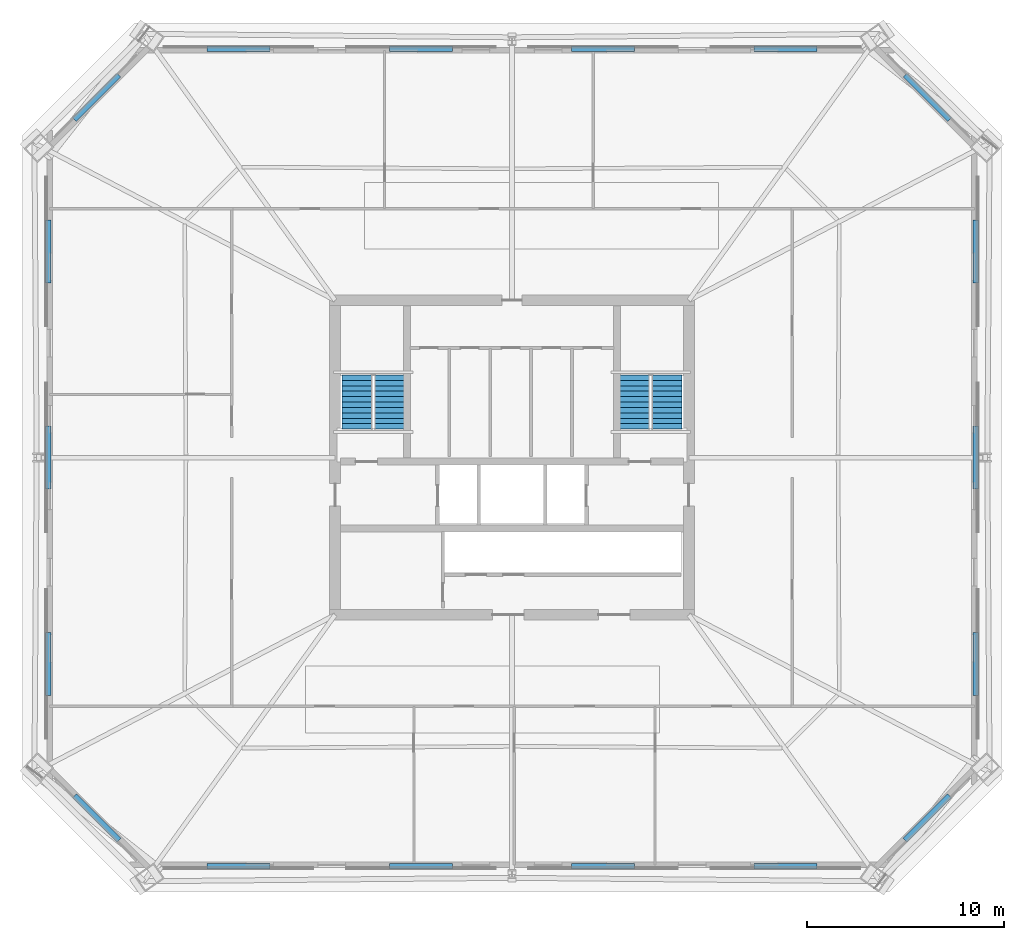
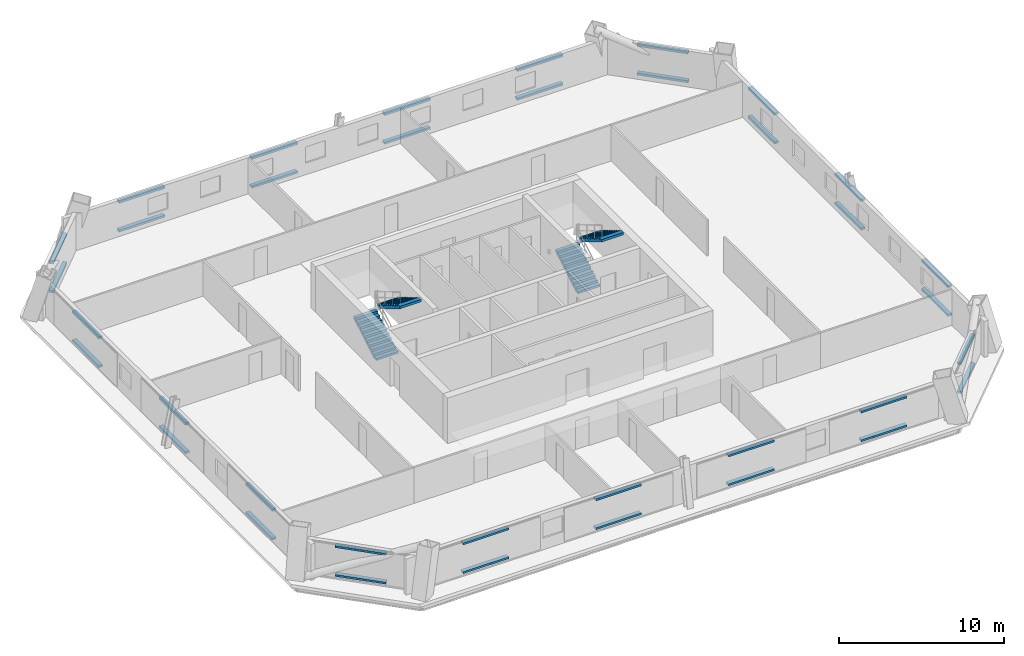
# One storey, part 5 of 7: 36 discrete accessories, 4 stair flights, 2 elements without a shape of their own.
"""IFC4 building model written with IfcOpenShell, lengths in metres."""

from ifc_helpers import new_model, si_unit, direction, frame, origin, origin_2d, place, context, subcontext, project, spatial, polyline, rectangle, outline, extrude, material, type_object, element, aggregate, save


model = new_model("IFC4")

# Units and contexts
model_context = context("Model", 3, precision=1e-05, world=origin(), true_north=direction((0.0, 1.0)))
body_context = subcontext(model_context, "Body", "Model", "MODEL_VIEW")
ifc_project = project(units=[si_unit("LENGTHUNIT", "METRE"), si_unit("AREAUNIT", "SQUARE_METRE"), si_unit("VOLUMEUNIT", "CUBIC_METRE"), si_unit("PLANEANGLEUNIT", "RADIAN"), si_unit("MASSUNIT", "GRAM", prefix="KILO")], contexts=[model_context])

# Site, building, storey
site_placement = place(None, origin())
site = spatial("IfcSite", under=ifc_project, at=site_placement, CompositionType="ELEMENT")
building_placement = place(site_placement, origin())
building = spatial("IfcBuilding", under=site, at=building_placement, Name="Caelvoria Tower", CompositionType="ELEMENT")
storey_placement = place(building_placement, frame((0.0, 0.0, 102.39990234375)))
storey = spatial("IfcBuildingStorey", under=building, at=storey_placement, Name="L26", CompositionType="ELEMENT", Elevation=102.39990234375)

# Stair, stair flights
ifc_material_1 = material(Name="Concrete C40/50", Category="concrete")
stair_type = type_object("IfcStairType", Name="Core Smokeproof Dogleg Stair Concrete C40/50", PredefinedType="HALF_TURN_STAIR", material=ifc_material_1)
stair_1_placement = place(storey_placement, origin())
stair_1 = element("IfcStair", 1, at=stair_1_placement, inside=storey, type_object=stair_type, Name="ST-01 Smokeproof Exit Stair L26", PredefinedType="HALF_TURN_STAIR")
ifc_material_2 = material(Name="Precast Concrete C40/50", Category="concrete")
stair_flight_type = type_object("IfcStairFlightType", Name="Precast Concrete C40/50 Stair Flight 1480", PredefinedType="STRAIGHT", material=ifc_material_2)
stair_flight_1_placement = place(storey_placement, frame((38.1298828125, 33.449951171875, 0.0), z_axis=(0.0, 0.0, 1.0), x_axis=(0.0, 1.0, 0.0)))
stair_flight_1 = element("IfcStairFlight", 2, at=stair_flight_1_placement, type_object=stair_flight_type, Name="ST-01 flight 1", NumberOfRisers=11, NumberOfTreads=10, PredefinedType="STRAIGHT", RiserHeight=0.1636, TreadLength=0.275, context=body_context, shape_type="SweptSolid", body=[
    extrude(outline(polyline([(0.0, 0.0), (0.0, 0.16357421875), (0.27490234375, 0.16357421875), (0.27490234375, 0.3271484375), (0.550048828125, 0.3271484375), (0.550048828125, 0.49072265625), (0.824951171875, 0.49072265625), (0.824951171875, 0.654296875), (1.10009765625, 0.654296875), (1.10009765625, 0.818115234375), (1.375, 0.818115234375), (1.375, 0.981689453125), (1.64990234375, 0.981689453125), (1.64990234375, 1.145263671875), (1.925048828125, 1.145263671875), (1.925048828125, 1.308837890625), (2.199951171875, 1.308837890625), (2.199951171875, 1.472412109375), (2.47509765625, 1.472412109375), (2.47509765625, 1.635986328125), (2.75, 1.635986328125), (2.75, 1.799560546875), (2.75, 1.449951171875), (0.312744140625, 0.0), (0.0, 0.0)])), frame((0.0, 0.77001953125, 0.0), z_axis=(0.0, -1.0, 0.0), x_axis=(1.0, 0.0, 0.0)), (0.0, 0.0, 1.0), 1.5400390625),
])
stair_flight_2_placement = place(storey_placement, frame((39.77001953125, 36.199951171875, 1.800048828125), z_axis=(0.0, 0.0, 1.0), x_axis=(0.0, -1.0, 0.0)))
stair_flight_2 = element("IfcStairFlight", 3, at=stair_flight_2_placement, type_object=stair_flight_type, Name="ST-01 flight 2", NumberOfRisers=11, NumberOfTreads=10, PredefinedType="STRAIGHT", RiserHeight=0.1636, TreadLength=0.275, context=body_context, shape_type="SweptSolid", body=[
    extrude(outline(polyline([(0.0, 0.0), (0.0, 0.16357421875), (0.27490234375, 0.16357421875), (0.27490234375, 0.3271484375), (0.550048828125, 0.3271484375), (0.550048828125, 0.49072265625), (0.824951171875, 0.49072265625), (0.824951171875, 0.654296875), (1.10009765625, 0.654296875), (1.10009765625, 0.818115234375), (1.375, 0.818115234375), (1.375, 0.981689453125), (1.64990234375, 0.981689453125), (1.64990234375, 1.145263671875), (1.925048828125, 1.145263671875), (1.925048828125, 1.308837890625), (2.199951171875, 1.308837890625), (2.199951171875, 1.472412109375), (2.47509765625, 1.472412109375), (2.47509765625, 1.635986328125), (2.75, 1.635986328125), (2.75, 1.799560546875), (2.75, 1.449951171875), (0.312744140625, 0.0), (0.0, 0.0)])), frame((0.0, 0.77001953125, 0.0), z_axis=(0.0, -1.0, 0.0), x_axis=(1.0, 0.0, 0.0)), (0.0, 0.0, 1.0), 1.5400390625),
])
aggregate(stair_1, [stair_flight_1, stair_flight_2])

stair_2_placement = place(storey_placement, origin())
stair_2 = element("IfcStair", 4, at=stair_2_placement, inside=storey, type_object=stair_type, Name="ST-02 Smokeproof Exit Stair L26", PredefinedType="HALF_TURN_STAIR")
stair_flight_3_placement = place(storey_placement, frame((52.22998046875, 33.449951171875, 0.0), z_axis=(0.0, 0.0, 1.0), x_axis=(0.0, 1.0, 0.0)))
stair_flight_3 = element("IfcStairFlight", 5, at=stair_flight_3_placement, type_object=stair_flight_type, Name="ST-02 flight 1", NumberOfRisers=11, NumberOfTreads=10, PredefinedType="STRAIGHT", RiserHeight=0.1636, TreadLength=0.275, context=body_context, shape_type="SweptSolid", body=[
    extrude(outline(polyline([(0.0, 0.0), (0.0, 0.16357421875), (0.27490234375, 0.16357421875), (0.27490234375, 0.3271484375), (0.550048828125, 0.3271484375), (0.550048828125, 0.49072265625), (0.824951171875, 0.49072265625), (0.824951171875, 0.654296875), (1.10009765625, 0.654296875), (1.10009765625, 0.818115234375), (1.375, 0.818115234375), (1.375, 0.981689453125), (1.64990234375, 0.981689453125), (1.64990234375, 1.145263671875), (1.925048828125, 1.145263671875), (1.925048828125, 1.308837890625), (2.199951171875, 1.308837890625), (2.199951171875, 1.472412109375), (2.47509765625, 1.472412109375), (2.47509765625, 1.635986328125), (2.75, 1.635986328125), (2.75, 1.799560546875), (2.75, 1.449951171875), (0.312744140625, 0.0), (0.0, 0.0)])), frame((0.0, 0.77001953125, 0.0), z_axis=(0.0, -1.0, 0.0), x_axis=(1.0, 0.0, 0.0)), (0.0, 0.0, 1.0), 1.5400390625),
])
stair_flight_4_placement = place(storey_placement, frame((53.8701171875, 36.199951171875, 1.800048828125), z_axis=(0.0, 0.0, 1.0), x_axis=(0.0, -1.0, 0.0)))
stair_flight_4 = element("IfcStairFlight", 6, at=stair_flight_4_placement, type_object=stair_flight_type, Name="ST-02 flight 2", NumberOfRisers=11, NumberOfTreads=10, PredefinedType="STRAIGHT", RiserHeight=0.1636, TreadLength=0.275, context=body_context, shape_type="SweptSolid", body=[
    extrude(outline(polyline([(0.0, 0.0), (0.0, 0.16357421875), (0.27490234375, 0.16357421875), (0.27490234375, 0.3271484375), (0.550048828125, 0.3271484375), (0.550048828125, 0.49072265625), (0.824951171875, 0.49072265625), (0.824951171875, 0.654296875), (1.10009765625, 0.654296875), (1.10009765625, 0.818115234375), (1.375, 0.818115234375), (1.375, 0.981689453125), (1.64990234375, 0.981689453125), (1.64990234375, 1.145263671875), (1.925048828125, 1.145263671875), (1.925048828125, 1.308837890625), (2.199951171875, 1.308837890625), (2.199951171875, 1.472412109375), (2.47509765625, 1.472412109375), (2.47509765625, 1.635986328125), (2.75, 1.635986328125), (2.75, 1.799560546875), (2.75, 1.449951171875), (0.312744140625, 0.0), (0.0, 0.0)])), frame((0.0, 0.77001953125, 0.0), z_axis=(0.0, -1.0, 0.0), x_axis=(1.0, 0.0, 0.0)), (0.0, 0.0, 1.0), 1.5400390625),
])
aggregate(stair_2, [stair_flight_3, stair_flight_4])

# Discrete accessories
ifc_material_3 = material(Name="Anodised Bronze Stainless Bracket", Category="bronze")
discrete_accessory_type = type_object("IfcDiscreteAccessoryType", Name="Solar Screen Outrigger Support Bracket", PredefinedType="BRACKET", material=ifc_material_3)
for number, where, z_axis, x_axis, name in (
    (7, (32.094970703125, 11.202880859375, 0.240234375), (0.0, 0.0, 1.0), (1.0, 0.0, 0.0), "Solar Screen Bracket L26-E0-00"),
    (8, (32.094970703125, 11.202880859375, 2.3623046875), (0.0, 0.0, 1.0), (1.0, 0.0, 0.0), "Upper Screen Band Bracket L26-E0-00"),
    (9, (41.364990234375, 11.202880859375, 0.240234375), (0.0, 0.0, 1.0), (1.0, 0.0, 0.0), "Solar Screen Bracket L26-E0-01"),
    (10, (41.364990234375, 11.202880859375, 2.3623046875), (0.0, 0.0, 1.0), (1.0, 0.0, 0.0), "Upper Screen Band Bracket L26-E0-01"),
    (11, (50.635009765625, 11.202880859375, 0.240234375), (0.0, 0.0, 1.0), (1.0, 0.0, 0.0), "Solar Screen Bracket L26-E0-02"),
    (12, (50.635009765625, 11.202880859375, 2.3623046875), (0.0, 0.0, 1.0), (1.0, 0.0, 0.0), "Upper Screen Band Bracket L26-E0-02"),
    (13, (59.905029296875, 11.202880859375, 0.240234375), (0.0, 0.0, 1.0), (1.0, 0.0, 0.0), "Solar Screen Bracket L26-E0-03"),
    (14, (59.905029296875, 11.202880859375, 2.3623046875), (0.0, 0.0, 1.0), (1.0, 0.0, 0.0), "Upper Screen Band Bracket L26-E0-03"),
    (15, (67.128662109375, 13.67138671875, 0.240234375), (0.0, 0.0, 1.0), (0.707106781187, 0.707106781187, 0.0), "Solar Screen Bracket L26-E1-00"),
    (16, (67.128662109375, 13.67138671875, 2.3623046875), (0.0, 0.0, 1.0), (0.707106781187, 0.707106781187, 0.0), "Upper Screen Band Bracket L26-E1-00"),
    (17, (69.596923828125, 21.506591796875, 0.240234375), (0.0, 0.0, 1.0), (0.0, 1.0, 0.0), "Solar Screen Bracket L26-E2-00"),
    (18, (69.596923828125, 21.506591796875, 2.3623046875), (0.0, 0.0, 1.0), (0.0, 1.0, 0.0), "Upper Screen Band Bracket L26-E2-00"),
    (19, (69.596923828125, 32.0, 0.240234375), (0.0, 0.0, 1.0), (0.0, 1.0, 0.0), "Solar Screen Bracket L26-E2-01"),
    (20, (69.596923828125, 32.0, 2.3623046875), (0.0, 0.0, 1.0), (0.0, 1.0, 0.0), "Upper Screen Band Bracket L26-E2-01"),
    (21, (69.596923828125, 42.493408203125, 0.240234375), (0.0, 0.0, 1.0), (0.0, 1.0, 0.0), "Solar Screen Bracket L26-E2-02"),
    (22, (69.596923828125, 42.493408203125, 2.3623046875), (0.0, 0.0, 1.0), (0.0, 1.0, 0.0), "Upper Screen Band Bracket L26-E2-02"),
    (23, (67.128662109375, 50.32861328125, 0.240234375), (0.0, 0.0, 1.0), (-0.707106781187, 0.707106781187, 0.0), "Solar Screen Bracket L26-E3-00"),
    (24, (67.128662109375, 50.32861328125, 2.3623046875), (0.0, 0.0, 1.0), (-0.707106781187, 0.707106781187, 0.0), "Upper Screen Band Bracket L26-E3-00"),
    (25, (59.905029296875, 52.797119140625, 0.240234375), (0.0, 0.0, 1.0), (-1.0, 0.0, 0.0), "Solar Screen Bracket L26-E4-00"),
    (26, (59.905029296875, 52.797119140625, 2.3623046875), (0.0, 0.0, 1.0), (-1.0, 0.0, 0.0), "Upper Screen Band Bracket L26-E4-00"),
    (27, (50.635009765625, 52.797119140625, 0.240234375), (0.0, 0.0, 1.0), (-1.0, 0.0, 0.0), "Solar Screen Bracket L26-E4-01"),
    (28, (50.635009765625, 52.797119140625, 2.3623046875), (0.0, 0.0, 1.0), (-1.0, 0.0, 0.0), "Upper Screen Band Bracket L26-E4-01"),
    (29, (41.364990234375, 52.797119140625, 0.240234375), (0.0, 0.0, 1.0), (-1.0, 0.0, 0.0), "Solar Screen Bracket L26-E4-02"),
    (30, (41.364990234375, 52.797119140625, 2.3623046875), (0.0, 0.0, 1.0), (-1.0, 0.0, 0.0), "Upper Screen Band Bracket L26-E4-02"),
    (31, (32.094970703125, 52.797119140625, 0.240234375), (0.0, 0.0, 1.0), (-1.0, 0.0, 0.0), "Solar Screen Bracket L26-E4-03"),
    (32, (32.094970703125, 52.797119140625, 2.3623046875), (0.0, 0.0, 1.0), (-1.0, 0.0, 0.0), "Upper Screen Band Bracket L26-E4-03"),
    (33, (24.871337890625, 50.32861328125, 0.240234375), (0.0, 0.0, 1.0), (-0.707106781187, -0.707106781187, 0.0), "Solar Screen Bracket L26-E5-00"),
    (34, (24.871337890625, 50.32861328125, 2.3623046875), (0.0, 0.0, 1.0), (-0.707106781187, -0.707106781187, 0.0), "Upper Screen Band Bracket L26-E5-00"),
    (35, (22.403076171875, 42.493408203125, 0.240234375), (0.0, 0.0, 1.0), (0.0, -1.0, 0.0), "Solar Screen Bracket L26-E6-00"),
    (36, (22.403076171875, 42.493408203125, 2.3623046875), (0.0, 0.0, 1.0), (0.0, -1.0, 0.0), "Upper Screen Band Bracket L26-E6-00"),
    (37, (22.403076171875, 32.0, 0.240234375), (0.0, 0.0, 1.0), (0.0, -1.0, 0.0), "Solar Screen Bracket L26-E6-01"),
    (38, (22.403076171875, 32.0, 2.3623046875), (0.0, 0.0, 1.0), (0.0, -1.0, 0.0), "Upper Screen Band Bracket L26-E6-01"),
    (39, (22.403076171875, 21.506591796875, 0.240234375), (0.0, 0.0, 1.0), (0.0, -1.0, 0.0), "Solar Screen Bracket L26-E6-02"),
    (40, (22.403076171875, 21.506591796875, 2.3623046875), (0.0, 0.0, 1.0), (0.0, -1.0, 0.0), "Upper Screen Band Bracket L26-E6-02"),
    (41, (24.871337890625, 13.67138671875, 0.240234375), (0.0, 0.0, 1.0), (0.707106781187, -0.707106781187, 0.0), "Solar Screen Bracket L26-E7-00"),
    (42, (24.871337890625, 13.67138671875, 2.3623046875), (0.0, 0.0, 1.0), (0.707106781187, -0.707106781187, 0.0), "Upper Screen Band Bracket L26-E7-00"),
):
    element("IfcDiscreteAccessory", number, at=place(storey_placement, frame(where, z_axis=z_axis, x_axis=x_axis)), inside=storey, type_object=discrete_accessory_type, Name=name, PredefinedType="BRACKET", context=body_context, shape_type="SweptSolid", body=[
        extrude(rectangle(XDim=3.199951171875, YDim=0.280029296875, at=origin_2d()), origin(), (0.0, 0.0, 1.0), 0.159912109375),
    ])

save(model, "model.ifc")
